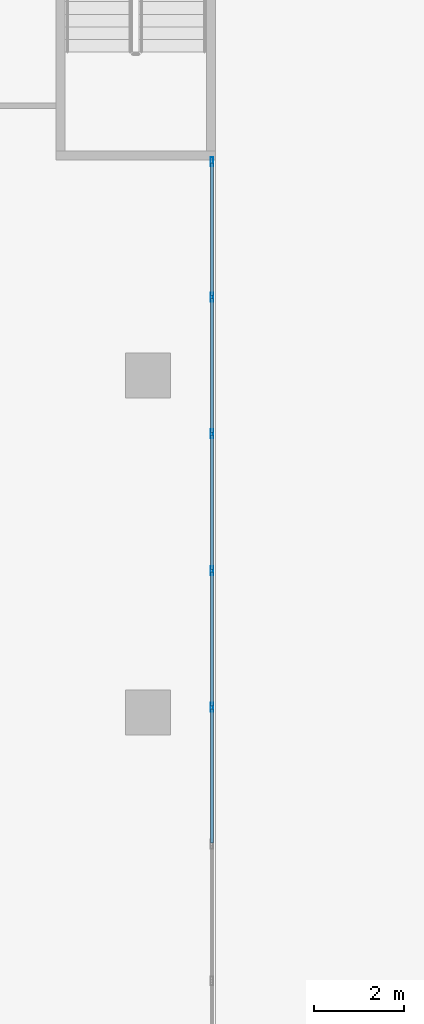
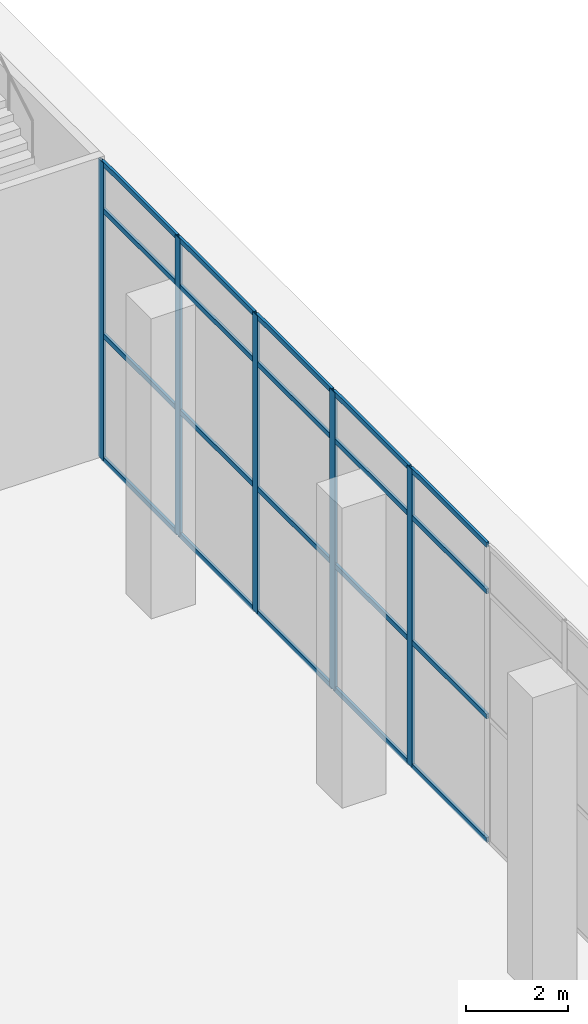
# One storey, part 29 of 52: 25 members, 1 element without a shape of its own.
"""IFC4 building model written with IfcOpenShell, lengths in metres."""

from ifc_helpers import new_model, si_unit, direction, frame, origin, origin_2d, place, context, subcontext, project, spatial, hollow_rectangle, extrude, source, transform, mapped, material, material_profile, profile_set, type_object, element, aggregate, save


model = new_model("IFC4")

# Units and contexts
model_context = context("Model", 3, precision=1e-05, world=origin(), true_north=direction((0.0, 1.0)))
body_context = subcontext(model_context, "Body", "Model", "MODEL_VIEW")
ifc_project = project(units=[si_unit("LENGTHUNIT", "METRE"), si_unit("AREAUNIT", "SQUARE_METRE"), si_unit("VOLUMEUNIT", "CUBIC_METRE"), si_unit("PLANEANGLEUNIT", "RADIAN"), si_unit("MASSUNIT", "GRAM", prefix="KILO")], contexts=[model_context])

# Site, building, storey
site_placement = place(None, origin())
site = spatial("IfcSite", under=ifc_project, at=site_placement, CompositionType="ELEMENT")
building_placement = place(site_placement, origin())
building = spatial("IfcBuilding", under=site, at=building_placement, Name="Khomas Fold Tower", CompositionType="ELEMENT")
storey_placement = place(building_placement, origin())
storey = spatial("IfcBuildingStorey", under=building, at=storey_placement, Name="L00", CompositionType="ELEMENT", Elevation=0.0)

# Curtain wall, members
ifc_material_1 = material(Name="Aluminium framed double glazing", Category="aluminium")
curtain_wall_type = type_object("IfcCurtainWallType", Name="Shopfront glazing PD-CW", PredefinedType="NOTDEFINED", material=ifc_material_1)
curtain_wall_placement = place(storey_placement, origin())
curtain_wall = element("IfcCurtainWall", 1, at=curtain_wall_placement, inside=storey, type_object=curtain_wall_type, Name="Podium shopfront run", PredefinedType="NOTDEFINED")
ifc_material_2 = material(Name="Aluminium", Category="aluminium")
ifc_material_profile_1 = material_profile(ifc_material_2, hollow_rectangle(XDim=0.06005859375, YDim=0.199951171875, WallThickness=0.00390625, at=origin_2d()), Name="Shopfront glazing mullion PD-CW-M")
ifc_profile_set_1 = profile_set([ifc_material_profile_1], Name="Aluminium")
member_type_1 = type_object("IfcMemberType", Name="Shopfront glazing mullion PD-CW-M", PredefinedType="MULLION", material=ifc_profile_set_1)
shared_shape_1 = source(origin(), body_context, "Body", "SweptSolid", [
    extrude(hollow_rectangle(XDim=0.06005859375, YDim=0.199951171875, WallThickness=0.00390625, at=origin_2d()), origin(), (0.0, 0.0, 1.0), 7.14990234375),
])
member_1_placement = place(storey_placement, frame((80.919921875, 34.611572265625, 0.0), z_axis=(0.0, 0.0, 1.0), x_axis=(-1.0, 0.0, 0.0)))
member_1 = element("IfcMember", 2, at=member_1_placement, type_object=member_type_1, Name="PD-CW mullion 10", PredefinedType="MULLION", context=body_context, shape_type="MappedRepresentation", body=[
    mapped(shared_shape_1, transform((0.0, 0.0, 0.0))),
])
member_2_placement = place(storey_placement, frame((80.919921875, 37.65625, 0.0), z_axis=(0.0, 0.0, 1.0), x_axis=(-1.0, 0.0, 0.0)))
member_2 = element("IfcMember", 3, at=member_2_placement, type_object=member_type_1, Name="PD-CW mullion 11", PredefinedType="MULLION", context=body_context, shape_type="MappedRepresentation", body=[
    mapped(shared_shape_1, transform((0.0, 0.0, 0.0))),
])
member_3_placement = place(storey_placement, frame((80.919921875, 40.70068359375, 0.0), z_axis=(0.0, 0.0, 1.0), x_axis=(-1.0, 0.0, 0.0)))
member_3 = element("IfcMember", 4, at=member_3_placement, type_object=member_type_1, Name="PD-CW mullion 12", PredefinedType="MULLION", context=body_context, shape_type="MappedRepresentation", body=[
    mapped(shared_shape_1, transform((0.0, 0.0, 0.0))),
])
member_4_placement = place(storey_placement, frame((80.919921875, 43.745361328125, 0.0), z_axis=(0.0, 0.0, 1.0), x_axis=(-1.0, 0.0, 0.0)))
member_4 = element("IfcMember", 5, at=member_4_placement, type_object=member_type_1, Name="PD-CW mullion 13", PredefinedType="MULLION", context=body_context, shape_type="MappedRepresentation", body=[
    mapped(shared_shape_1, transform((0.0, 0.0, 0.0))),
])
member_5_placement = place(storey_placement, frame((80.919921875, 46.760009765625, 0.0), z_axis=(0.0, 0.0, 1.0), x_axis=(-1.0, 0.0, 0.0)))
member_5 = element("IfcMember", 6, at=member_5_placement, type_object=member_type_1, Name="PD-CW mullion 14", PredefinedType="MULLION", context=body_context, shape_type="MappedRepresentation", body=[
    mapped(shared_shape_1, transform((0.0, 0.0, 0.0))),
])
ifc_material_3 = material(Name="Aluminium", Category="aluminium")
ifc_material_profile_2 = material_profile(ifc_material_3, hollow_rectangle(XDim=0.06005859375, YDim=0.1201171875, WallThickness=0.00390625, at=origin_2d()), Name="Shopfront glazing transom PD-CW-T")
ifc_profile_set_2 = profile_set([ifc_material_profile_2], Name="Aluminium")
member_type_2 = type_object("IfcMemberType", Name="Shopfront glazing transom PD-CW-T", PredefinedType="USERDEFINED", material=ifc_profile_set_2)
shared_shape_2 = source(origin(), body_context, "Body", "SweptSolid", [
    extrude(hollow_rectangle(XDim=0.06005859375, YDim=0.1201171875, WallThickness=0.00390625, at=origin_2d()), origin(), (0.0, 0.0, 1.0), 2.95458984375),
])
member_6_placement = place(storey_placement, frame((80.919921875, 43.775390625, 0.030029296875), z_axis=(0.0, 1.0, 0.0), x_axis=(-1.0, 0.0, 0.0)))
member_6 = element("IfcMember", 7, at=member_6_placement, type_object=member_type_2, Name="PD-CW transom 13.1", ObjectType="TRANSOM", PredefinedType="USERDEFINED", context=body_context, shape_type="MappedRepresentation", body=[
    mapped(shared_shape_2, transform((0.0, 0.0, 0.0))),
])
member_7_placement = place(storey_placement, frame((80.919921875, 43.775390625, 3.0), z_axis=(0.0, 1.0, 0.0), x_axis=(-1.0, 0.0, 0.0)))
member_7 = element("IfcMember", 8, at=member_7_placement, type_object=member_type_2, Name="PD-CW transom 13.2", ObjectType="TRANSOM", PredefinedType="USERDEFINED", context=body_context, shape_type="MappedRepresentation", body=[
    mapped(shared_shape_2, transform((0.0, 0.0, 0.0))),
])
member_8_placement = place(storey_placement, frame((80.919921875, 43.775390625, 6.0), z_axis=(0.0, 1.0, 0.0), x_axis=(-1.0, 0.0, 0.0)))
member_8 = element("IfcMember", 9, at=member_8_placement, type_object=member_type_2, Name="PD-CW transom 13.3", ObjectType="TRANSOM", PredefinedType="USERDEFINED", context=body_context, shape_type="MappedRepresentation", body=[
    mapped(shared_shape_2, transform((0.0, 0.0, 0.0))),
])
member_9_placement = place(storey_placement, frame((80.919921875, 43.775390625, 7.1201171875), z_axis=(0.0, 1.0, 0.0), x_axis=(-1.0, 0.0, 0.0)))
member_9 = element("IfcMember", 10, at=member_9_placement, type_object=member_type_2, Name="PD-CW transom 13.4", ObjectType="TRANSOM", PredefinedType="USERDEFINED", context=body_context, shape_type="MappedRepresentation", body=[
    mapped(shared_shape_2, transform((0.0, 0.0, 0.0))),
])
shared_shape_3 = source(origin(), body_context, "Body", "SweptSolid", [
    extrude(hollow_rectangle(XDim=0.06005859375, YDim=0.1201171875, WallThickness=0.00390625, at=origin_2d()), origin(), (0.0, 0.0, 1.0), 2.984619140625),
])
member_10_placement = place(storey_placement, frame((80.919921875, 31.596923828125, 0.030029296875), z_axis=(0.0, 1.0, 0.0), x_axis=(-1.0, 0.0, 0.0)))
member_10 = element("IfcMember", 11, at=member_10_placement, type_object=member_type_2, Name="PD-CW transom 9.1", ObjectType="TRANSOM", PredefinedType="USERDEFINED", context=body_context, shape_type="MappedRepresentation", body=[
    mapped(shared_shape_3, transform((0.0, 0.0, 0.0))),
])
member_11_placement = place(storey_placement, frame((80.919921875, 31.596923828125, 3.0), z_axis=(0.0, 1.0, 0.0), x_axis=(-1.0, 0.0, 0.0)))
member_11 = element("IfcMember", 12, at=member_11_placement, type_object=member_type_2, Name="PD-CW transom 9.2", ObjectType="TRANSOM", PredefinedType="USERDEFINED", context=body_context, shape_type="MappedRepresentation", body=[
    mapped(shared_shape_3, transform((0.0, 0.0, 0.0))),
])
member_12_placement = place(storey_placement, frame((80.919921875, 31.596923828125, 6.0), z_axis=(0.0, 1.0, 0.0), x_axis=(-1.0, 0.0, 0.0)))
member_12 = element("IfcMember", 13, at=member_12_placement, type_object=member_type_2, Name="PD-CW transom 9.3", ObjectType="TRANSOM", PredefinedType="USERDEFINED", context=body_context, shape_type="MappedRepresentation", body=[
    mapped(shared_shape_3, transform((0.0, 0.0, 0.0))),
])
member_13_placement = place(storey_placement, frame((80.919921875, 31.596923828125, 7.1201171875), z_axis=(0.0, 1.0, 0.0), x_axis=(-1.0, 0.0, 0.0)))
member_13 = element("IfcMember", 14, at=member_13_placement, type_object=member_type_2, Name="PD-CW transom 9.4", ObjectType="TRANSOM", PredefinedType="USERDEFINED", context=body_context, shape_type="MappedRepresentation", body=[
    mapped(shared_shape_3, transform((0.0, 0.0, 0.0))),
])
member_14_placement = place(storey_placement, frame((80.919921875, 34.6416015625, 0.030029296875), z_axis=(0.0, 1.0, 0.0), x_axis=(-1.0, 0.0, 0.0)))
member_14 = element("IfcMember", 15, at=member_14_placement, type_object=member_type_2, Name="PD-CW transom 10.1", ObjectType="TRANSOM", PredefinedType="USERDEFINED", context=body_context, shape_type="MappedRepresentation", body=[
    mapped(shared_shape_3, transform((0.0, 0.0, 0.0))),
])
member_15_placement = place(storey_placement, frame((80.919921875, 34.6416015625, 3.0), z_axis=(0.0, 1.0, 0.0), x_axis=(-1.0, 0.0, 0.0)))
member_15 = element("IfcMember", 16, at=member_15_placement, type_object=member_type_2, Name="PD-CW transom 10.2", ObjectType="TRANSOM", PredefinedType="USERDEFINED", context=body_context, shape_type="MappedRepresentation", body=[
    mapped(shared_shape_3, transform((0.0, 0.0, 0.0))),
])
member_16_placement = place(storey_placement, frame((80.919921875, 34.6416015625, 6.0), z_axis=(0.0, 1.0, 0.0), x_axis=(-1.0, 0.0, 0.0)))
member_16 = element("IfcMember", 17, at=member_16_placement, type_object=member_type_2, Name="PD-CW transom 10.3", ObjectType="TRANSOM", PredefinedType="USERDEFINED", context=body_context, shape_type="MappedRepresentation", body=[
    mapped(shared_shape_3, transform((0.0, 0.0, 0.0))),
])
member_17_placement = place(storey_placement, frame((80.919921875, 34.6416015625, 7.1201171875), z_axis=(0.0, 1.0, 0.0), x_axis=(-1.0, 0.0, 0.0)))
member_17 = element("IfcMember", 18, at=member_17_placement, type_object=member_type_2, Name="PD-CW transom 10.4", ObjectType="TRANSOM", PredefinedType="USERDEFINED", context=body_context, shape_type="MappedRepresentation", body=[
    mapped(shared_shape_3, transform((0.0, 0.0, 0.0))),
])
member_18_placement = place(storey_placement, frame((80.919921875, 37.68603515625, 0.030029296875), z_axis=(0.0, 1.0, 0.0), x_axis=(-1.0, 0.0, 0.0)))
member_18 = element("IfcMember", 19, at=member_18_placement, type_object=member_type_2, Name="PD-CW transom 11.1", ObjectType="TRANSOM", PredefinedType="USERDEFINED", context=body_context, shape_type="MappedRepresentation", body=[
    mapped(shared_shape_3, transform((0.0, 0.0, 0.0))),
])
member_19_placement = place(storey_placement, frame((80.919921875, 37.68603515625, 3.0), z_axis=(0.0, 1.0, 0.0), x_axis=(-1.0, 0.0, 0.0)))
member_19 = element("IfcMember", 20, at=member_19_placement, type_object=member_type_2, Name="PD-CW transom 11.2", ObjectType="TRANSOM", PredefinedType="USERDEFINED", context=body_context, shape_type="MappedRepresentation", body=[
    mapped(shared_shape_3, transform((0.0, 0.0, 0.0))),
])
member_20_placement = place(storey_placement, frame((80.919921875, 37.68603515625, 6.0), z_axis=(0.0, 1.0, 0.0), x_axis=(-1.0, 0.0, 0.0)))
member_20 = element("IfcMember", 21, at=member_20_placement, type_object=member_type_2, Name="PD-CW transom 11.3", ObjectType="TRANSOM", PredefinedType="USERDEFINED", context=body_context, shape_type="MappedRepresentation", body=[
    mapped(shared_shape_3, transform((0.0, 0.0, 0.0))),
])
member_21_placement = place(storey_placement, frame((80.919921875, 37.68603515625, 7.1201171875), z_axis=(0.0, 1.0, 0.0), x_axis=(-1.0, 0.0, 0.0)))
member_21 = element("IfcMember", 22, at=member_21_placement, type_object=member_type_2, Name="PD-CW transom 11.4", ObjectType="TRANSOM", PredefinedType="USERDEFINED", context=body_context, shape_type="MappedRepresentation", body=[
    mapped(shared_shape_3, transform((0.0, 0.0, 0.0))),
])
member_22_placement = place(storey_placement, frame((80.919921875, 40.730712890625, 0.030029296875), z_axis=(0.0, 1.0, 0.0), x_axis=(-1.0, 0.0, 0.0)))
member_22 = element("IfcMember", 23, at=member_22_placement, type_object=member_type_2, Name="PD-CW transom 12.1", ObjectType="TRANSOM", PredefinedType="USERDEFINED", context=body_context, shape_type="MappedRepresentation", body=[
    mapped(shared_shape_3, transform((0.0, 0.0, 0.0))),
])
member_23_placement = place(storey_placement, frame((80.919921875, 40.730712890625, 3.0), z_axis=(0.0, 1.0, 0.0), x_axis=(-1.0, 0.0, 0.0)))
member_23 = element("IfcMember", 24, at=member_23_placement, type_object=member_type_2, Name="PD-CW transom 12.2", ObjectType="TRANSOM", PredefinedType="USERDEFINED", context=body_context, shape_type="MappedRepresentation", body=[
    mapped(shared_shape_3, transform((0.0, 0.0, 0.0))),
])
member_24_placement = place(storey_placement, frame((80.919921875, 40.730712890625, 6.0), z_axis=(0.0, 1.0, 0.0), x_axis=(-1.0, 0.0, 0.0)))
member_24 = element("IfcMember", 25, at=member_24_placement, type_object=member_type_2, Name="PD-CW transom 12.3", ObjectType="TRANSOM", PredefinedType="USERDEFINED", context=body_context, shape_type="MappedRepresentation", body=[
    mapped(shared_shape_3, transform((0.0, 0.0, 0.0))),
])
member_25_placement = place(storey_placement, frame((80.919921875, 40.730712890625, 7.1201171875), z_axis=(0.0, 1.0, 0.0), x_axis=(-1.0, 0.0, 0.0)))
member_25 = element("IfcMember", 26, at=member_25_placement, type_object=member_type_2, Name="PD-CW transom 12.4", ObjectType="TRANSOM", PredefinedType="USERDEFINED", context=body_context, shape_type="MappedRepresentation", body=[
    mapped(shared_shape_3, transform((0.0, 0.0, 0.0))),
])
aggregate(curtain_wall, [member_1, member_2, member_3, member_4, member_5, member_10, member_11, member_12, member_13, member_14, member_15, member_16, member_17, member_18, member_19, member_20, member_21, member_22, member_23, member_24, member_25, member_6, member_7, member_8, member_9])

save(model, "model.ifc")
